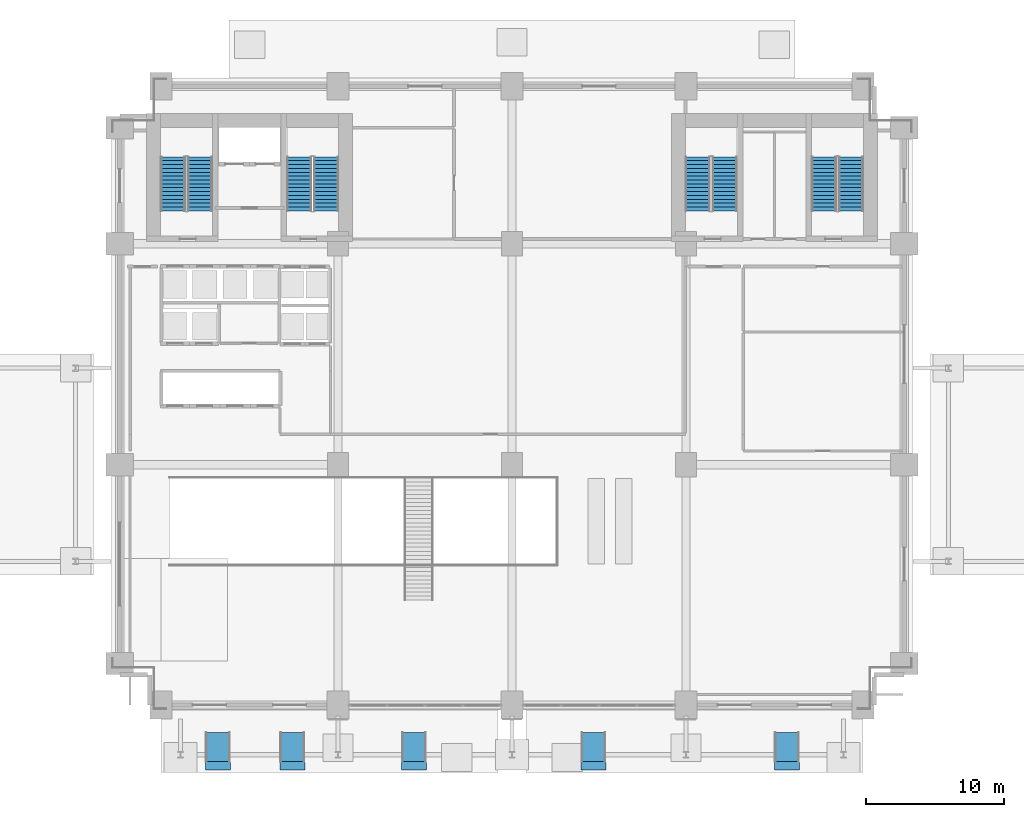
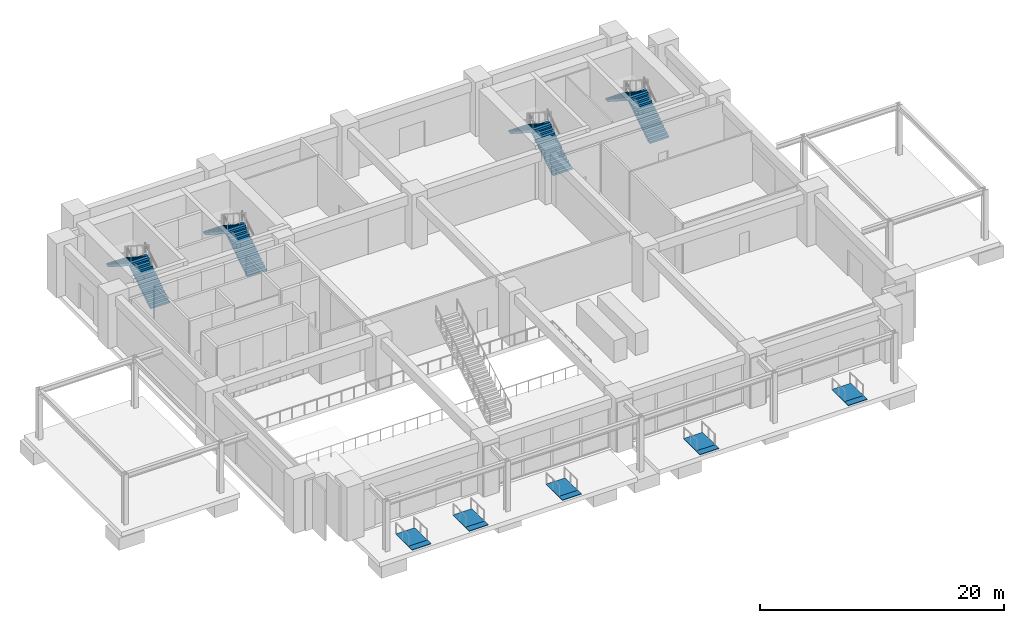
# One storey, part 8 of 14: 8 stair flights, 5 ramps, 5 ramp flights, 4 elements without a shape of their own.
"""IFC4 building model written with IfcOpenShell, lengths in metres."""

from ifc_helpers import new_model, si_unit, direction, frame, origin, place, context, subcontext, project, spatial, polyline, outline, extrude, material, layer, layer_set, type_object, element, aggregate, save


model = new_model("IFC4")

# Units and contexts
model_context = context("Model", 3, precision=1e-05, world=origin(), true_north=direction((0.0, 1.0)))
body_context = subcontext(model_context, "Body", "Model", "MODEL_VIEW")
ifc_project = project(units=[si_unit("LENGTHUNIT", "METRE"), si_unit("AREAUNIT", "SQUARE_METRE"), si_unit("VOLUMEUNIT", "CUBIC_METRE"), si_unit("PLANEANGLEUNIT", "RADIAN"), si_unit("MASSUNIT", "GRAM", prefix="KILO")], contexts=[model_context])

# Site, building, storey
site_placement = place(None, origin())
site = spatial("IfcSite", under=ifc_project, at=site_placement, CompositionType="ELEMENT")
building_placement = place(site_placement, origin())
building = spatial("IfcBuilding", under=site, at=building_placement, Name="Sulina Concourse Tower", CompositionType="ELEMENT")
storey_placement = place(building_placement, origin())
storey = spatial("IfcBuildingStorey", under=building, at=storey_placement, Name="L00", CompositionType="ELEMENT", Elevation=0.0)

# Stair, stair flights
ifc_material_1 = material(Name="Concrete C50/60", Category="concrete")
stair_type_1 = type_object("IfcStairType", Name="Portal & Podium Core Exit Stair 1820mm", PredefinedType="HALF_TURN_STAIR", material=ifc_material_1)
stair_1_placement = place(storey_placement, origin())
stair_1 = element("IfcStair", 1, at=stair_1_placement, inside=storey, type_object=stair_type_1, Name="L00 ST-3", PredefinedType="HALF_TURN_STAIR")
ifc_material_2 = material(Name="Concrete C50/60", Category="concrete")
stair_flight_type_1 = type_object("IfcStairFlightType", Name="Portal & Podium Core Exit Stair 1820mm Flight", PredefinedType="STRAIGHT", material=ifc_material_2)
stair_flight_1_placement = place(storey_placement, frame((44.405029296875, 36.375, 0.0), z_axis=(0.0, 0.0, 1.0), x_axis=(0.0, 1.0, 0.0)))
stair_flight_1 = element("IfcStairFlight", 2, at=stair_flight_1_placement, type_object=stair_flight_type_1, Name="ST-3 flight 1", NumberOfRisers=15, NumberOfTreads=14, PredefinedType="STRAIGHT", RiserHeight=0.18, TreadLength=0.28, context=body_context, shape_type="SweptSolid", body=[
    extrude(outline(polyline([(0.0, 0.0), (0.0, 0.179931640625), (0.280029296875, 0.179931640625), (0.280029296875, 0.360107421875), (0.56005859375, 0.360107421875), (0.56005859375, 0.5400390625), (0.840087890625, 0.5400390625), (0.840087890625, 0.719970703125), (1.1201171875, 0.719970703125), (1.1201171875, 0.89990234375), (1.39990234375, 0.89990234375), (1.39990234375, 1.080078125), (1.679931640625, 1.080078125), (1.679931640625, 1.260009765625), (1.9599609375, 1.260009765625), (1.9599609375, 1.43994140625), (2.239990234375, 1.43994140625), (2.239990234375, 1.6201171875), (2.52001953125, 1.6201171875), (2.52001953125, 1.800048828125), (2.800048828125, 1.800048828125), (2.800048828125, 1.97998046875), (3.080078125, 1.97998046875), (3.080078125, 2.159912109375), (3.360107421875, 2.159912109375), (3.360107421875, 2.340087890625), (3.639892578125, 2.340087890625), (3.639892578125, 2.52001953125), (3.919921875, 2.52001953125), (3.919921875, 2.699951171875), (3.919921875, 2.30615234375), (0.332763671875, 0.0), (0.0, 0.0)])), frame((0.0, 0.89990234375, 0.0), z_axis=(0.0, -1.0, 0.0), x_axis=(1.0, 0.0, 0.0)), (0.0, 0.0, 1.0), 1.800048828125),
])
stair_flight_2_placement = place(storey_placement, frame((42.455078125, 40.294921875, 2.699951171875), z_axis=(0.0, 0.0, 1.0), x_axis=(0.0, -1.0, 0.0)))
stair_flight_2 = element("IfcStairFlight", 3, at=stair_flight_2_placement, type_object=stair_flight_type_1, Name="ST-3 flight 2", NumberOfRisers=15, NumberOfTreads=14, PredefinedType="STRAIGHT", RiserHeight=0.18, TreadLength=0.28, context=body_context, shape_type="SweptSolid", body=[
    extrude(outline(polyline([(0.0, 0.0), (0.0, 0.179931640625), (0.280029296875, 0.179931640625), (0.280029296875, 0.360107421875), (0.56005859375, 0.360107421875), (0.56005859375, 0.5400390625), (0.840087890625, 0.5400390625), (0.840087890625, 0.719970703125), (1.1201171875, 0.719970703125), (1.1201171875, 0.89990234375), (1.39990234375, 0.89990234375), (1.39990234375, 1.080078125), (1.679931640625, 1.080078125), (1.679931640625, 1.260009765625), (1.9599609375, 1.260009765625), (1.9599609375, 1.43994140625), (2.239990234375, 1.43994140625), (2.239990234375, 1.6201171875), (2.52001953125, 1.6201171875), (2.52001953125, 1.800048828125), (2.800048828125, 1.800048828125), (2.800048828125, 1.97998046875), (3.080078125, 1.97998046875), (3.080078125, 2.159912109375), (3.360107421875, 2.159912109375), (3.360107421875, 2.340087890625), (3.639892578125, 2.340087890625), (3.639892578125, 2.52001953125), (3.919921875, 2.52001953125), (3.919921875, 2.699951171875), (3.919921875, 2.30615234375), (0.332763671875, 0.0), (0.0, 0.0)])), frame((0.0, 0.89990234375, 0.0), z_axis=(0.0, -1.0, 0.0), x_axis=(1.0, 0.0, 0.0)), (0.0, 0.0, 1.0), 1.800048828125),
])
aggregate(stair_1, [stair_flight_1, stair_flight_2])

stair_2_placement = place(storey_placement, origin())
stair_2 = element("IfcStair", 4, at=stair_2_placement, inside=storey, type_object=stair_type_1, Name="L00 ST-4", PredefinedType="HALF_TURN_STAIR")
stair_flight_3_placement = place(storey_placement, frame((53.544921875, 36.375, 0.0), z_axis=(0.0, 0.0, 1.0), x_axis=(0.0, 1.0, 0.0)))
stair_flight_3 = element("IfcStairFlight", 5, at=stair_flight_3_placement, type_object=stair_flight_type_1, Name="ST-4 flight 1", NumberOfRisers=15, NumberOfTreads=14, PredefinedType="STRAIGHT", RiserHeight=0.18, TreadLength=0.28, context=body_context, shape_type="SweptSolid", body=[
    extrude(outline(polyline([(0.0, 0.0), (0.0, 0.179931640625), (0.280029296875, 0.179931640625), (0.280029296875, 0.360107421875), (0.56005859375, 0.360107421875), (0.56005859375, 0.5400390625), (0.840087890625, 0.5400390625), (0.840087890625, 0.719970703125), (1.1201171875, 0.719970703125), (1.1201171875, 0.89990234375), (1.39990234375, 0.89990234375), (1.39990234375, 1.080078125), (1.679931640625, 1.080078125), (1.679931640625, 1.260009765625), (1.9599609375, 1.260009765625), (1.9599609375, 1.43994140625), (2.239990234375, 1.43994140625), (2.239990234375, 1.6201171875), (2.52001953125, 1.6201171875), (2.52001953125, 1.800048828125), (2.800048828125, 1.800048828125), (2.800048828125, 1.97998046875), (3.080078125, 1.97998046875), (3.080078125, 2.159912109375), (3.360107421875, 2.159912109375), (3.360107421875, 2.340087890625), (3.639892578125, 2.340087890625), (3.639892578125, 2.52001953125), (3.919921875, 2.52001953125), (3.919921875, 2.699951171875), (3.919921875, 2.30615234375), (0.332763671875, 0.0), (0.0, 0.0)])), frame((0.0, 0.89990234375, 0.0), z_axis=(0.0, -1.0, 0.0), x_axis=(1.0, 0.0, 0.0)), (0.0, 0.0, 1.0), 1.800048828125),
])
stair_flight_4_placement = place(storey_placement, frame((51.594970703125, 40.294921875, 2.699951171875), z_axis=(0.0, 0.0, 1.0), x_axis=(0.0, -1.0, 0.0)))
stair_flight_4 = element("IfcStairFlight", 6, at=stair_flight_4_placement, type_object=stair_flight_type_1, Name="ST-4 flight 2", NumberOfRisers=15, NumberOfTreads=14, PredefinedType="STRAIGHT", RiserHeight=0.18, TreadLength=0.28, context=body_context, shape_type="SweptSolid", body=[
    extrude(outline(polyline([(0.0, 0.0), (0.0, 0.179931640625), (0.280029296875, 0.179931640625), (0.280029296875, 0.360107421875), (0.56005859375, 0.360107421875), (0.56005859375, 0.5400390625), (0.840087890625, 0.5400390625), (0.840087890625, 0.719970703125), (1.1201171875, 0.719970703125), (1.1201171875, 0.89990234375), (1.39990234375, 0.89990234375), (1.39990234375, 1.080078125), (1.679931640625, 1.080078125), (1.679931640625, 1.260009765625), (1.9599609375, 1.260009765625), (1.9599609375, 1.43994140625), (2.239990234375, 1.43994140625), (2.239990234375, 1.6201171875), (2.52001953125, 1.6201171875), (2.52001953125, 1.800048828125), (2.800048828125, 1.800048828125), (2.800048828125, 1.97998046875), (3.080078125, 1.97998046875), (3.080078125, 2.159912109375), (3.360107421875, 2.159912109375), (3.360107421875, 2.340087890625), (3.639892578125, 2.340087890625), (3.639892578125, 2.52001953125), (3.919921875, 2.52001953125), (3.919921875, 2.699951171875), (3.919921875, 2.30615234375), (0.332763671875, 0.0), (0.0, 0.0)])), frame((0.0, 0.89990234375, 0.0), z_axis=(0.0, -1.0, 0.0), x_axis=(1.0, 0.0, 0.0)), (0.0, 0.0, 1.0), 1.800048828125),
])
aggregate(stair_2, [stair_flight_3, stair_flight_4])

ifc_material_3 = material(Name="Concrete C50/60", Category="concrete")
stair_type_2 = type_object("IfcStairType", Name="Primary Core Dog-Leg Exit Stair 1800mm", PredefinedType="HALF_TURN_STAIR", material=ifc_material_3)
stair_3_placement = place(storey_placement, origin())
stair_3 = element("IfcStair", 7, at=stair_3_placement, inside=storey, type_object=stair_type_2, Name="L00 ST-1", PredefinedType="HALF_TURN_STAIR")
ifc_material_4 = material(Name="Concrete C50/60", Category="concrete")
stair_flight_type_2 = type_object("IfcStairFlightType", Name="Primary Core Dog-Leg Exit Stair 1800mm Flight", PredefinedType="STRAIGHT", material=ifc_material_4)
stair_flight_5_placement = place(storey_placement, frame((6.405029296875, 36.375, 0.0), z_axis=(0.0, 0.0, 1.0), x_axis=(0.0, 1.0, 0.0)))
stair_flight_5 = element("IfcStairFlight", 8, at=stair_flight_5_placement, type_object=stair_flight_type_2, Name="ST-1 flight 1", NumberOfRisers=15, NumberOfTreads=14, PredefinedType="STRAIGHT", RiserHeight=0.18, TreadLength=0.28, context=body_context, shape_type="SweptSolid", body=[
    extrude(outline(polyline([(0.0, 0.0), (0.0, 0.179931640625), (0.280029296875, 0.179931640625), (0.280029296875, 0.360107421875), (0.56005859375, 0.360107421875), (0.56005859375, 0.5400390625), (0.840087890625, 0.5400390625), (0.840087890625, 0.719970703125), (1.1201171875, 0.719970703125), (1.1201171875, 0.89990234375), (1.39990234375, 0.89990234375), (1.39990234375, 1.080078125), (1.679931640625, 1.080078125), (1.679931640625, 1.260009765625), (1.9599609375, 1.260009765625), (1.9599609375, 1.43994140625), (2.239990234375, 1.43994140625), (2.239990234375, 1.6201171875), (2.52001953125, 1.6201171875), (2.52001953125, 1.800048828125), (2.800048828125, 1.800048828125), (2.800048828125, 1.97998046875), (3.080078125, 1.97998046875), (3.080078125, 2.159912109375), (3.360107421875, 2.159912109375), (3.360107421875, 2.340087890625), (3.639892578125, 2.340087890625), (3.639892578125, 2.52001953125), (3.919921875, 2.52001953125), (3.919921875, 2.699951171875), (3.919921875, 2.30615234375), (0.332763671875, 0.0), (0.0, 0.0)])), frame((0.0, 0.89990234375, 0.0), z_axis=(0.0, -1.0, 0.0), x_axis=(1.0, 0.0, 0.0)), (0.0, 0.0, 1.0), 1.800048828125),
])
stair_flight_6_placement = place(storey_placement, frame((4.455078125, 40.294921875, 2.699951171875), z_axis=(0.0, 0.0, 1.0), x_axis=(0.0, -1.0, 0.0)))
stair_flight_6 = element("IfcStairFlight", 9, at=stair_flight_6_placement, type_object=stair_flight_type_2, Name="ST-1 flight 2", NumberOfRisers=15, NumberOfTreads=14, PredefinedType="STRAIGHT", RiserHeight=0.18, TreadLength=0.28, context=body_context, shape_type="SweptSolid", body=[
    extrude(outline(polyline([(0.0, 0.0), (0.0, 0.179931640625), (0.280029296875, 0.179931640625), (0.280029296875, 0.360107421875), (0.56005859375, 0.360107421875), (0.56005859375, 0.5400390625), (0.840087890625, 0.5400390625), (0.840087890625, 0.719970703125), (1.1201171875, 0.719970703125), (1.1201171875, 0.89990234375), (1.39990234375, 0.89990234375), (1.39990234375, 1.080078125), (1.679931640625, 1.080078125), (1.679931640625, 1.260009765625), (1.9599609375, 1.260009765625), (1.9599609375, 1.43994140625), (2.239990234375, 1.43994140625), (2.239990234375, 1.6201171875), (2.52001953125, 1.6201171875), (2.52001953125, 1.800048828125), (2.800048828125, 1.800048828125), (2.800048828125, 1.97998046875), (3.080078125, 1.97998046875), (3.080078125, 2.159912109375), (3.360107421875, 2.159912109375), (3.360107421875, 2.340087890625), (3.639892578125, 2.340087890625), (3.639892578125, 2.52001953125), (3.919921875, 2.52001953125), (3.919921875, 2.699951171875), (3.919921875, 2.30615234375), (0.332763671875, 0.0), (0.0, 0.0)])), frame((0.0, 0.89990234375, 0.0), z_axis=(0.0, -1.0, 0.0), x_axis=(1.0, 0.0, 0.0)), (0.0, 0.0, 1.0), 1.800048828125),
])
aggregate(stair_3, [stair_flight_5, stair_flight_6])

stair_4_placement = place(storey_placement, origin())
stair_4 = element("IfcStair", 10, at=stair_4_placement, inside=storey, type_object=stair_type_2, Name="L00 ST-2", PredefinedType="HALF_TURN_STAIR")
stair_flight_7_placement = place(storey_placement, frame((15.544921875, 36.375, 0.0), z_axis=(0.0, 0.0, 1.0), x_axis=(0.0, 1.0, 0.0)))
stair_flight_7 = element("IfcStairFlight", 11, at=stair_flight_7_placement, type_object=stair_flight_type_2, Name="ST-2 flight 1", NumberOfRisers=15, NumberOfTreads=14, PredefinedType="STRAIGHT", RiserHeight=0.18, TreadLength=0.28, context=body_context, shape_type="SweptSolid", body=[
    extrude(outline(polyline([(0.0, 0.0), (0.0, 0.179931640625), (0.280029296875, 0.179931640625), (0.280029296875, 0.360107421875), (0.56005859375, 0.360107421875), (0.56005859375, 0.5400390625), (0.840087890625, 0.5400390625), (0.840087890625, 0.719970703125), (1.1201171875, 0.719970703125), (1.1201171875, 0.89990234375), (1.39990234375, 0.89990234375), (1.39990234375, 1.080078125), (1.679931640625, 1.080078125), (1.679931640625, 1.260009765625), (1.9599609375, 1.260009765625), (1.9599609375, 1.43994140625), (2.239990234375, 1.43994140625), (2.239990234375, 1.6201171875), (2.52001953125, 1.6201171875), (2.52001953125, 1.800048828125), (2.800048828125, 1.800048828125), (2.800048828125, 1.97998046875), (3.080078125, 1.97998046875), (3.080078125, 2.159912109375), (3.360107421875, 2.159912109375), (3.360107421875, 2.340087890625), (3.639892578125, 2.340087890625), (3.639892578125, 2.52001953125), (3.919921875, 2.52001953125), (3.919921875, 2.699951171875), (3.919921875, 2.30615234375), (0.332763671875, 0.0), (0.0, 0.0)])), frame((0.0, 0.89990234375, 0.0), z_axis=(0.0, -1.0, 0.0), x_axis=(1.0, 0.0, 0.0)), (0.0, 0.0, 1.0), 1.800048828125),
])
stair_flight_8_placement = place(storey_placement, frame((13.594970703125, 40.294921875, 2.699951171875), z_axis=(0.0, 0.0, 1.0), x_axis=(0.0, -1.0, 0.0)))
stair_flight_8 = element("IfcStairFlight", 12, at=stair_flight_8_placement, type_object=stair_flight_type_2, Name="ST-2 flight 2", NumberOfRisers=15, NumberOfTreads=14, PredefinedType="STRAIGHT", RiserHeight=0.18, TreadLength=0.28, context=body_context, shape_type="SweptSolid", body=[
    extrude(outline(polyline([(0.0, 0.0), (0.0, 0.179931640625), (0.280029296875, 0.179931640625), (0.280029296875, 0.360107421875), (0.56005859375, 0.360107421875), (0.56005859375, 0.5400390625), (0.840087890625, 0.5400390625), (0.840087890625, 0.719970703125), (1.1201171875, 0.719970703125), (1.1201171875, 0.89990234375), (1.39990234375, 0.89990234375), (1.39990234375, 1.080078125), (1.679931640625, 1.080078125), (1.679931640625, 1.260009765625), (1.9599609375, 1.260009765625), (1.9599609375, 1.43994140625), (2.239990234375, 1.43994140625), (2.239990234375, 1.6201171875), (2.52001953125, 1.6201171875), (2.52001953125, 1.800048828125), (2.800048828125, 1.800048828125), (2.800048828125, 1.97998046875), (3.080078125, 1.97998046875), (3.080078125, 2.159912109375), (3.360107421875, 2.159912109375), (3.360107421875, 2.340087890625), (3.639892578125, 2.340087890625), (3.639892578125, 2.52001953125), (3.919921875, 2.52001953125), (3.919921875, 2.699951171875), (3.919921875, 2.30615234375), (0.332763671875, 0.0), (0.0, 0.0)])), frame((0.0, 0.89990234375, 0.0), z_axis=(0.0, -1.0, 0.0), x_axis=(1.0, 0.0, 0.0)), (0.0, 0.0, 1.0), 1.800048828125),
])
aggregate(stair_4, [stair_flight_7, stair_flight_8])

# Ramp
ifc_material_5 = material(Name="Precast concrete C50/60", Category="concrete")
ramp_type = type_object("IfcRampType", Name="Step-Free Accessible Pedestrian Ramp Assembly", PredefinedType="STRAIGHT_RUN_RAMP", material=ifc_material_5)
ramp_1_placement = place(storey_placement, origin())
ramp_1 = element("IfcRamp", 13, at=ramp_1_placement, inside=storey, type_object=ramp_type, Name="L00 accessible pedestrian ramp RMP-ACC-01", PredefinedType="STRAIGHT_RUN_RAMP", context=body_context, shape_type="SweptSolid", body=[
    extrude(outline(polyline([(6.800048828125, -4.10009765625), (8.60009765625, -4.10009765625), (8.60009765625, -3.5), (6.800048828125, -3.5), (6.800048828125, -4.10009765625)])), origin(), (0.0, 0.0, 1.0), 0.050048828125),
])

ramp_2_placement = place(storey_placement, origin())
ramp_2 = element("IfcRamp", 14, at=ramp_2_placement, inside=storey, type_object=ramp_type, Name="L00 accessible pedestrian ramp RMP-ACC-02", PredefinedType="STRAIGHT_RUN_RAMP", context=body_context, shape_type="SweptSolid", body=[
    extrude(outline(polyline([(12.199951171875, -4.10009765625), (14.0, -4.10009765625), (14.0, -3.5), (12.199951171875, -3.5), (12.199951171875, -4.10009765625)])), origin(), (0.0, 0.0, 1.0), 0.050048828125),
])

ramp_3_placement = place(storey_placement, origin())
ramp_3 = element("IfcRamp", 15, at=ramp_3_placement, inside=storey, type_object=ramp_type, Name="L00 accessible pedestrian ramp RMP-ACC-03", PredefinedType="STRAIGHT_RUN_RAMP", context=body_context, shape_type="SweptSolid", body=[
    extrude(outline(polyline([(21.0, -4.10009765625), (22.800048828125, -4.10009765625), (22.800048828125, -3.5), (21.0, -3.5), (21.0, -4.10009765625)])), origin(), (0.0, 0.0, 1.0), 0.050048828125),
])

ramp_4_placement = place(storey_placement, origin())
ramp_4 = element("IfcRamp", 16, at=ramp_4_placement, inside=storey, type_object=ramp_type, Name="L00 accessible pedestrian ramp RMP-ACC-04", PredefinedType="STRAIGHT_RUN_RAMP", context=body_context, shape_type="SweptSolid", body=[
    extrude(outline(polyline([(34.0, -4.10009765625), (35.800048828125, -4.10009765625), (35.800048828125, -3.5), (34.0, -3.5), (34.0, -4.10009765625)])), origin(), (0.0, 0.0, 1.0), 0.050048828125),
])

ramp_5_placement = place(storey_placement, origin())
ramp_5 = element("IfcRamp", 17, at=ramp_5_placement, inside=storey, type_object=ramp_type, Name="L00 accessible pedestrian ramp RMP-ACC-05", PredefinedType="STRAIGHT_RUN_RAMP", context=body_context, shape_type="SweptSolid", body=[
    extrude(outline(polyline([(48.0, -4.10009765625), (49.800048828125, -4.10009765625), (49.800048828125, -3.5), (48.0, -3.5), (48.0, -4.10009765625)])), origin(), (0.0, 0.0, 1.0), 0.050048828125),
])

# Ramp flight
ifc_material_6 = material(Name="Precast concrete C50/60", Category="concrete")
ifc_layer = layer(ifc_material_6, 0.199951171875)
ifc_layer_set = layer_set([ifc_layer], Name="Precast concrete C50/60")
ramp_flight_type = type_object("IfcRampFlightType", Name="Step-Free Accessible Ramp Flight 200mm", PredefinedType="STRAIGHT", material=ifc_layer_set)
ramp_flight_1_placement = place(storey_placement, frame((6.800048828125, -3.5, 0.050048828125), z_axis=(0.0, 0.023824902357, 0.999716146727), x_axis=(1.0, 0.0, 0.0)))
ramp_flight_1 = element("IfcRampFlight", 18, at=ramp_flight_1_placement, type_object=ramp_flight_type, Name="RMP-ACC-01 ramp flight", PredefinedType="STRAIGHT", context=body_context, shape_type="SweptSolid", body=[
    extrude(outline(polyline([(0.0, 0.0), (1.800048828125, 0.0), (1.800048828125, 2.1006939451008635), (0.0, 2.1006939451008635), (0.0, 0.0)])), origin(), (0.0, 0.0, -1.0), 0.050048828125),
])

aggregate(ramp_1, [ramp_flight_1])

ramp_flight_2_placement = place(storey_placement, frame((12.199951171875, -3.5, 0.050048828125), z_axis=(0.0, 0.023824902357, 0.999716146727), x_axis=(1.0, 0.0, 0.0)))
ramp_flight_2 = element("IfcRampFlight", 19, at=ramp_flight_2_placement, type_object=ramp_flight_type, Name="RMP-ACC-02 ramp flight", PredefinedType="STRAIGHT", context=body_context, shape_type="SweptSolid", body=[
    extrude(outline(polyline([(0.0, 0.0), (1.800048828125, 0.0), (1.800048828125, 2.1006939451008635), (0.0, 2.1006939451008635), (0.0, 0.0)])), origin(), (0.0, 0.0, -1.0), 0.050048828125),
])

aggregate(ramp_2, [ramp_flight_2])

ramp_flight_3_placement = place(storey_placement, frame((21.0, -3.5, 0.050048828125), z_axis=(0.0, 0.023824902357, 0.999716146727), x_axis=(1.0, 0.0, 0.0)))
ramp_flight_3 = element("IfcRampFlight", 20, at=ramp_flight_3_placement, type_object=ramp_flight_type, Name="RMP-ACC-03 ramp flight", PredefinedType="STRAIGHT", context=body_context, shape_type="SweptSolid", body=[
    extrude(outline(polyline([(0.0, 0.0), (1.800048828125, 0.0), (1.800048828125, 2.1006939451008635), (0.0, 2.1006939451008635), (0.0, 0.0)])), origin(), (0.0, 0.0, -1.0), 0.050048828125),
])

aggregate(ramp_3, [ramp_flight_3])

ramp_flight_4_placement = place(storey_placement, frame((34.0, -3.5, 0.050048828125), z_axis=(0.0, 0.023824902357, 0.999716146727), x_axis=(1.0, 0.0, 0.0)))
ramp_flight_4 = element("IfcRampFlight", 21, at=ramp_flight_4_placement, type_object=ramp_flight_type, Name="RMP-ACC-04 ramp flight", PredefinedType="STRAIGHT", context=body_context, shape_type="SweptSolid", body=[
    extrude(outline(polyline([(0.0, 0.0), (1.800048828125, 0.0), (1.800048828125, 2.1006939451008635), (0.0, 2.1006939451008635), (0.0, 0.0)])), origin(), (0.0, 0.0, -1.0), 0.050048828125),
])

aggregate(ramp_4, [ramp_flight_4])

ramp_flight_5_placement = place(storey_placement, frame((48.0, -3.5, 0.050048828125), z_axis=(0.0, 0.023824902357, 0.999716146727), x_axis=(1.0, 0.0, 0.0)))
ramp_flight_5 = element("IfcRampFlight", 22, at=ramp_flight_5_placement, type_object=ramp_flight_type, Name="RMP-ACC-05 ramp flight", PredefinedType="STRAIGHT", context=body_context, shape_type="SweptSolid", body=[
    extrude(outline(polyline([(0.0, 0.0), (1.800048828125, 0.0), (1.800048828125, 2.1006939451008635), (0.0, 2.1006939451008635), (0.0, 0.0)])), origin(), (0.0, 0.0, -1.0), 0.050048828125),
])

aggregate(ramp_5, [ramp_flight_5])

save(model, "model.ifc")
